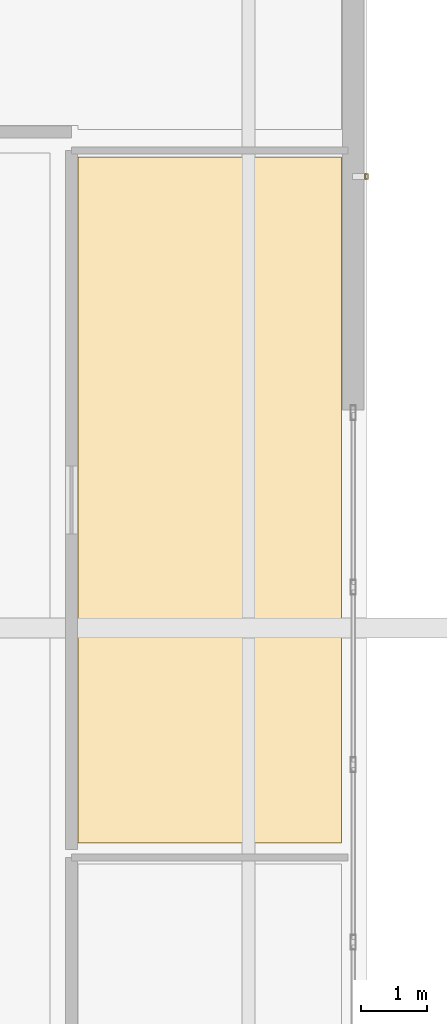
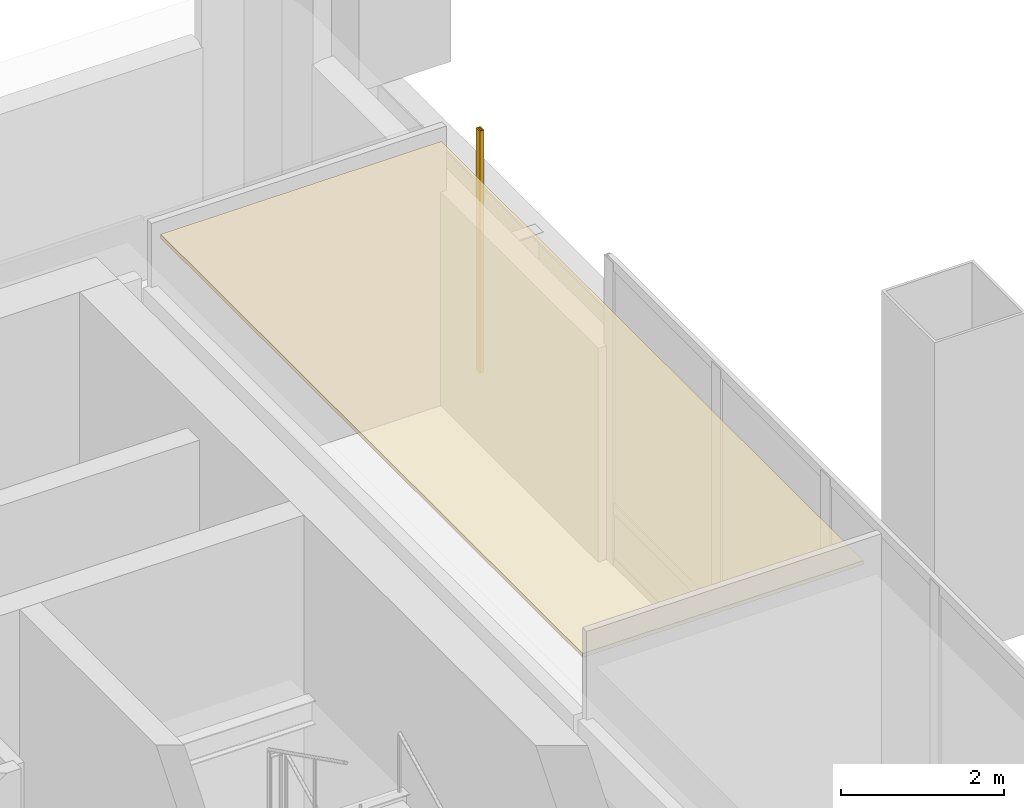
# One storey, part 30 of 33: 1 covering, 1 shading device.
"""IFC4 building model written with IfcOpenShell, lengths in metres."""

from ifc_helpers import new_model, si_unit, direction, frame, origin, origin_2d, place, context, subcontext, project, spatial, polyline, hollow_rectangle, outline, extrude, material, layer, layer_set, material_profile, profile_set, type_object, element, save


model = new_model("IFC4")

# Units and contexts
model_context = context("Model", 3, precision=1e-05, world=origin(), true_north=direction((0.0, 1.0)))
body_context = subcontext(model_context, "Body", "Model", "MODEL_VIEW")
ifc_project = project(units=[si_unit("LENGTHUNIT", "METRE"), si_unit("AREAUNIT", "SQUARE_METRE"), si_unit("VOLUMEUNIT", "CUBIC_METRE"), si_unit("PLANEANGLEUNIT", "RADIAN"), si_unit("MASSUNIT", "GRAM", prefix="KILO")], contexts=[model_context])

# Site, building, storey
site_placement = place(None, origin())
site = spatial("IfcSite", under=ifc_project, at=site_placement, CompositionType="ELEMENT")
building_placement = place(site_placement, origin())
building = spatial("IfcBuilding", under=site, at=building_placement, Name="Punatoya Terracotta Tower", CompositionType="ELEMENT")
storey_placement = place(building_placement, frame((0.0, 0.0, 246.60009765625)))
storey = spatial("IfcBuildingStorey", under=building, at=storey_placement, Name="L58", CompositionType="ELEMENT", Elevation=246.60009765625)

# Covering
ifc_material_1 = material(Name="Acoustic Mineral Fibre Ceiling")
ifc_layer = layer(ifc_material_1, 0.06005859375)
ifc_layer_set = layer_set([ifc_layer], Name="Acoustic Mineral Fibre Ceiling")
covering_type = type_object("IfcCoveringType", Name="COV-CEIL-60", PredefinedType="CEILING", material=ifc_layer_set)
covering_placement = place(storey_placement, frame((0.0, 0.0, 3.929931640625)))
element("IfcCovering", 1, at=covering_placement, inside=storey, type_object=covering_type, Name="L58 Client Symposium Boardroom Acoustic Ceiling", PredefinedType="CEILING", context=body_context, shape_type="SweptSolid", body=[
    extrude(outline(polyline([(15.949951171875, 0.159912109375), (15.949951171875, 10.5), (11.97998046875, 10.5), (11.97998046875, 0.159912109375), (15.949951171875, 0.159912109375)])), origin(), (0.0, 0.0, 1.0), 0.06005859375),
])

# Shading device
ifc_material_2 = material(Name="Architectural Fired Terracotta", Category="masonry")
ifc_material_profile = material_profile(ifc_material_2, hollow_rectangle(XDim=0.06005859375, YDim=0.090087890625, WallThickness=0.013916015625, at=origin_2d()))
ifc_profile_set = profile_set([ifc_material_profile], Name="Architectural Fired Terracotta")
shading_device_type = type_object("IfcShadingDeviceType", Name="SHD-JALI-90", PredefinedType="JALOUSIE", material=ifc_profile_set)
shading_device_placement = place(storey_placement, frame((16.330078125, 10.20849609375, 0.599853515625), z_axis=(0.0, 0.0, 1.0), x_axis=(1.0, 0.0, 0.0)))
element("IfcShadingDevice", 2, at=shading_device_placement, inside=storey, type_object=shading_device_type, Name="L58 Braced Bay Terracotta Jali Fin E2", PredefinedType="JALOUSIE", context=body_context, shape_type="SweptSolid", body=[
    extrude(hollow_rectangle(XDim=0.06005859375, YDim=0.090087890625, WallThickness=0.013916015625, at=origin_2d()), origin(), (0.0, 0.0, 1.0), 3.6201171875),
])

save(model, "model.ifc")
